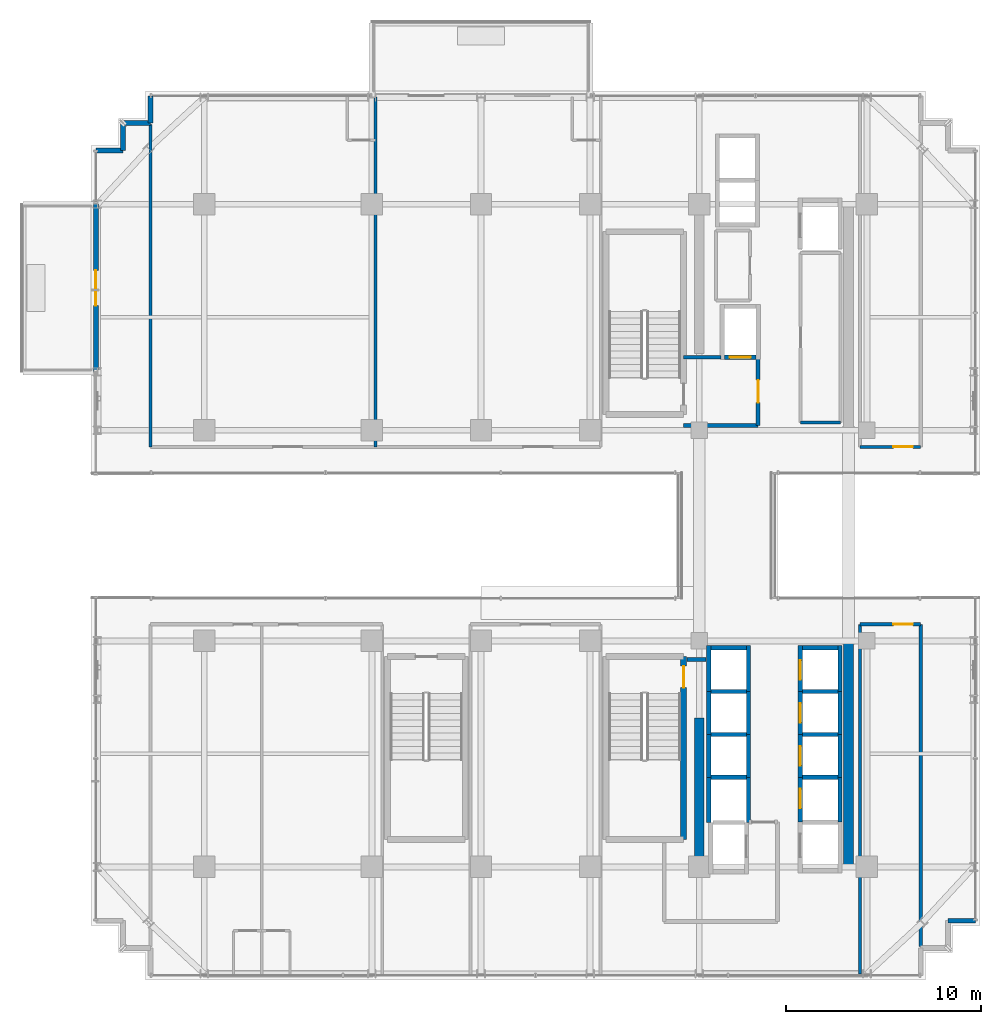
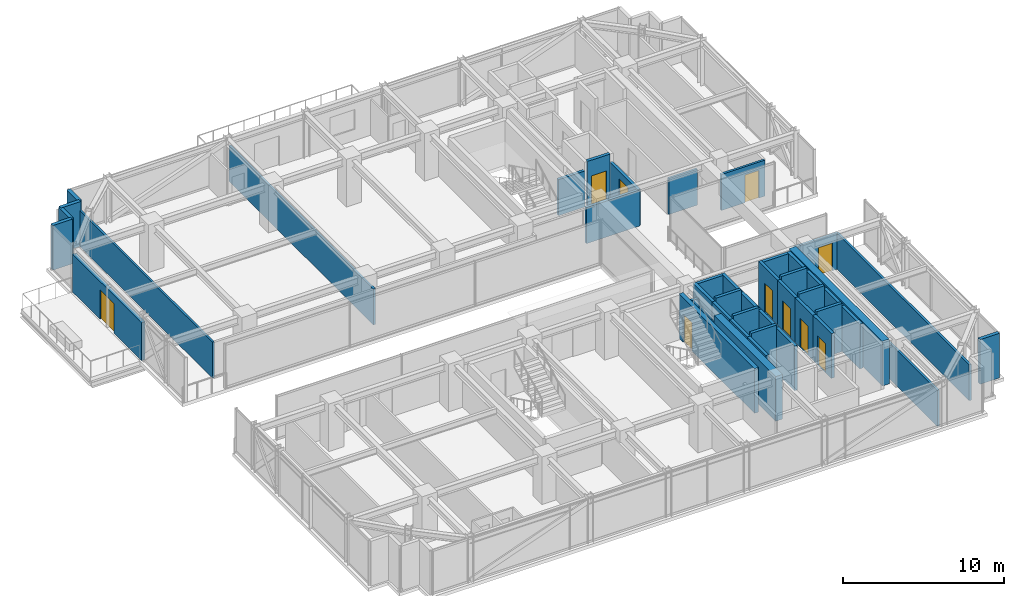
# One storey, part 37 of 43: 45 walls, 10 doors, 10 openings.
"""IFC4 building model written with IfcOpenShell, lengths in metres."""

from ifc_helpers import new_model, si_unit, direction, frame, frame_2d, origin, place, context, subcontext, project, spatial, rectangle, extrude, source, transform, mapped, material, layer, layer_set, type_object, element, fill, save


model = new_model("IFC4")

# Units and contexts
model_context = context("Model", 3, precision=1e-05, world=origin(), true_north=direction((0.0, 1.0)))
body_context = subcontext(model_context, "Body", "Model", "MODEL_VIEW")
ifc_project = project(units=[si_unit("LENGTHUNIT", "METRE"), si_unit("AREAUNIT", "SQUARE_METRE"), si_unit("VOLUMEUNIT", "CUBIC_METRE"), si_unit("PLANEANGLEUNIT", "RADIAN"), si_unit("MASSUNIT", "GRAM", prefix="KILO")], contexts=[model_context])

# Site, building, storey
site_placement = place(None, origin())
site = spatial("IfcSite", under=ifc_project, at=site_placement, CompositionType="ELEMENT")
building_placement = place(site_placement, origin())
building = spatial("IfcBuilding", under=site, at=building_placement, Name="Nahalor Promenade Grand Hotel", CompositionType="ELEMENT")
storey_placement = place(building_placement, frame((0.0, 0.0, 181.85009765625)))
storey = spatial("IfcBuildingStorey", under=building, at=storey_placement, Name="L46", CompositionType="ELEMENT", Elevation=181.85009765625)

# Walls
ifc_material_1 = material(Name="Concrete B-60 (C50/60)", Category="concrete")
ifc_layer_1 = layer(ifc_material_1, 0.5)
ifc_layer_set_1 = layer_set([ifc_layer_1], Name="Concrete B-60 (C50/60)")
wall_type_1 = type_object("IfcWallType", Name="Wall-CoreShear-500", PredefinedType="SHEAR", material=ifc_layer_set_1)
shared_shape_1 = source(origin(), body_context, "Body", "SweptSolid", [
    extrude(rectangle(XDim=7.64990234375, YDim=0.5, at=frame_2d((3.824951171875, 0.0))), origin(), (0.0, 0.0, 1.0), 3.389892578125),
])
wall_1_placement = place(storey_placement, frame((8.39990234375, -17.0, 0.0), z_axis=(0.0, 0.0, 1.0), x_axis=(0.0, 1.0, 0.0)))
element("IfcWall", 1, at=wall_1_placement, inside=storey, type_object=wall_type_1, Name="CWALL-L46-SW", PredefinedType="SHEAR", context=body_context, shape_type="MappedRepresentation", body=[
    mapped(shared_shape_1, transform((0.0, 0.0, 0.0), scale=1.0)),
])
shared_shape_2 = source(origin(), body_context, "Body", "SweptSolid", [
    extrude(rectangle(XDim=11.60009765625, YDim=0.5, at=frame_2d((5.800048828125, 0.0))), origin(), (0.0, 0.0, 1.0), 3.389892578125),
])
wall_2_placement = place(storey_placement, frame((16.050048828125, -17.0, 0.0), z_axis=(0.0, 0.0, 1.0), x_axis=(0.0, 1.0, 0.0)))
element("IfcWall", 2, at=wall_2_placement, inside=storey, type_object=wall_type_1, Name="CWALL-L46-SE", PredefinedType="SHEAR", context=body_context, shape_type="MappedRepresentation", body=[
    mapped(shared_shape_2, transform((0.0, 0.0, 0.0), scale=1.0)),
])

# Wall, opening, door
ifc_material_2 = material(Name="Concrete B-50 (C40/50)", Category="concrete")
ifc_layer_2 = layer(ifc_material_2, 0.300048828125)
ifc_layer_set_2 = layer_set([ifc_layer_2], Name="Concrete B-50 (C40/50)")
wall_type_2 = type_object("IfcWallType", Name="Wall-ShaftShear-300", PredefinedType="SHEAR", material=ifc_layer_set_2)
shared_shape_3 = source(origin(), body_context, "Body", "SweptSolid", [
    extrude(rectangle(XDim=9.380126953125, YDim=0.300048828125, at=frame_2d((4.68994140625, 0.0))), origin(), (0.0, 0.0, 1.0), 3.389892578125),
])
wall_3_placement = place(storey_placement, frame((7.590087890625, -15.590087890625, 0.0), z_axis=(0.0, 0.0, 1.0), x_axis=(0.0, 1.0, 0.0)))
wall_3 = element("IfcWall", 3, at=wall_3_placement, inside=storey, type_object=wall_type_2, Name="L46 Exit Stair ST2 Shaft Wall E", PredefinedType="SHEAR", context=body_context, shape_type="MappedRepresentation", body=[
    mapped(shared_shape_3, transform((0.0, 0.0, 0.0), scale=1.0)),
])
opening_1_placement = place(wall_3_placement, frame((7.7900390625, 0.0, 0.0)))
opening_1 = element("IfcOpeningElement", 4, at=opening_1_placement, cuts=wall_3, Name="Opening D-ST1", PredefinedType="OPENING", context=body_context, shape_type="SweptSolid", body=[
    extrude(rectangle(XDim=1.10009765625, YDim=2.14990234375, at=frame_2d((0.550048828125, 1.074951171875))), frame((0.0, 0.159912109375, 0.0), z_axis=(0.0, -1.0, 0.0), x_axis=(1.0, 0.0, 0.0)), (0.0, 0.0, 1.0), 0.320068359375),
])
ifc_material_3 = material(Name="Steel S355JR", Category="steel")
door_type_1 = type_object("IfcDoorType", Name="Door-StairFire-1100", OperationType="NOTDEFINED", PredefinedType="DOOR", material=ifc_material_3)
shared_shape_4 = source(origin(), body_context, "Body", "SweptSolid", [
    extrude(rectangle(XDim=1.10009765625, YDim=2.14990234375, at=frame_2d((0.550048828125, 1.074951171875))), frame((0.0, 0.02490234375, 0.0), z_axis=(0.0, -1.0, 0.0), x_axis=(1.0, 0.0, 0.0)), (0.0, 0.0, 1.0), 0.050048828125),
])
door_1_placement = place(opening_1_placement, origin())
door_1 = element("IfcDoor", 5, at=door_1_placement, inside=storey, type_object=door_type_1, Name="DR-STAIR-ST2-L46", OperationType="SINGLE_SWING_LEFT", OverallHeight=2.14990234375, OverallWidth=1.10009765625, PredefinedType="DOOR", context=body_context, shape_type="MappedRepresentation", body=[
    mapped(shared_shape_4, transform((0.0, 0.0, 0.0), scale=1.0)),
])
fill(opening_1, door_1)

# Walls
ifc_layer_3 = layer(ifc_material_2, 0.219970703125)
ifc_layer_set_3 = layer_set([ifc_layer_3], Name="Concrete B-50 (C40/50)")
wall_type_3 = type_object("IfcWallType", Name="Wall-LiftShaft-220", PredefinedType="SHEAR", material=ifc_layer_set_3)
shared_shape_5 = source(origin(), body_context, "Body", "SweptSolid", [
    extrude(rectangle(XDim=1.820068359375, YDim=0.219970703125, at=frame_2d((0.91015625, 0.0))), origin(), (0.0, 0.0, 1.0), 3.64990234375),
])
for number, where, z_axis, x_axis, name in (
    (6, (13.68994140625, -8.0, 0.0), (0.0, 0.0, 1.0), (1.0, 0.0, 0.0), "L46 Lift PL6 Hoistway Wall N"),
    (7, (13.68994140625, -10.199951171875, 0.0), (0.0, 0.0, 1.0), (1.0, 0.0, 0.0), "L46 Lift PL7 Hoistway Wall N"),
    (8, (13.68994140625, -12.39990234375, 0.0), (0.0, 0.0, 1.0), (1.0, 0.0, 0.0), "L46 Lift PL8 Hoistway Wall N"),
    (9, (8.989990234375, -8.0, 0.0), (0.0, 0.0, 1.0), (1.0, 0.0, 0.0), "L46 Lift PL10 Hoistway Wall N"),
    (10, (8.989990234375, -10.199951171875, 0.0), (0.0, 0.0, 1.0), (1.0, 0.0, 0.0), "L46 Lift PL11 Hoistway Wall N"),
    (11, (8.989990234375, -12.39990234375, 0.0), (0.0, 0.0, 1.0), (1.0, 0.0, 0.0), "L46 Lift PL12 Hoistway Wall N"),
):
    element("IfcWall", number, at=place(storey_placement, frame(where, z_axis=z_axis, x_axis=x_axis)), inside=storey, type_object=wall_type_3, Name=name, PredefinedType="SHEAR", context=body_context, shape_type="MappedRepresentation", body=[
        mapped(shared_shape_5, transform((0.0, 0.0, 0.0), scale=1.0)),
    ])

# Wall, opening, door
shared_shape_6 = source(origin(), body_context, "Body", "SweptSolid", [
    extrude(rectangle(XDim=2.360107421875, YDim=0.219970703125, at=frame_2d((1.18017578125, 0.0))), origin(), (0.0, 0.0, 1.0), 3.389892578125),
])
wall_4_placement = place(storey_placement, frame((13.580078125, -8.0, 0.0), z_axis=(0.0, 0.0, 1.0), x_axis=(0.0, 1.0, 0.0)))
wall_4 = element("IfcWall", 12, at=wall_4_placement, inside=storey, type_object=wall_type_3, Name="L46 Lift PL5 Hoistway Wall W", PredefinedType="SHEAR", context=body_context, shape_type="MappedRepresentation", body=[
    mapped(shared_shape_6, transform((0.0, 0.0, 0.0), scale=1.0)),
])
opening_2_placement = place(wall_4_placement, frame((0.60009765625, 0.0, 0.0)))
opening_2 = element("IfcOpeningElement", 13, at=opening_2_placement, cuts=wall_4, Name="Opening LD-01", PredefinedType="OPENING", context=body_context, shape_type="SweptSolid", body=[
    extrude(rectangle(XDim=1.0, YDim=2.199951171875, at=frame_2d((0.5, 1.10009765625))), frame((0.0, 0.119873046875, 0.0), z_axis=(0.0, -1.0, 0.0), x_axis=(1.0, 0.0, 0.0)), (0.0, 0.0, 1.0), 0.239990234375),
])
door_type_2 = type_object("IfcDoorType", Name="Door-LiftLanding-1000", OperationType="DOUBLE_DOOR_SLIDING", PredefinedType="DOOR", material=ifc_material_3)
shared_shape_7 = source(origin(), body_context, "Body", "SweptSolid", [
    extrude(rectangle(XDim=1.0, YDim=2.199951171875, at=frame_2d((0.5, 1.10009765625))), frame((0.0, 0.02490234375, 0.0), z_axis=(0.0, -1.0, 0.0), x_axis=(1.0, 0.0, 0.0)), (0.0, 0.0, 1.0), 0.050048828125),
])
door_2_placement = place(opening_2_placement, origin())
door_2 = element("IfcDoor", 14, at=door_2_placement, inside=storey, type_object=door_type_2, Name="DR-LIFT-PL5-L46", OperationType="DOUBLE_DOOR_SLIDING", OverallHeight=2.199951171875, OverallWidth=1.0, PredefinedType="DOOR", context=body_context, shape_type="MappedRepresentation", body=[
    mapped(shared_shape_7, transform((0.0, 0.0, 0.0), scale=1.0)),
])
fill(opening_2, door_2)

# Walls
for number, where, z_axis, x_axis, name in (
    (15, (15.6201171875, -8.0, 0.0), (0.0, 0.0, 1.0), (0.0, 1.0, 0.0), "L46 Lift PL5 Hoistway Wall E"),
    (16, (8.8798828125, -8.0, 0.0), (0.0, 0.0, 1.0), (0.0, 1.0, 0.0), "L46 Lift PL9 Hoistway Wall W"),
    (17, (10.919921875, -8.0, 0.0), (0.0, 0.0, 1.0), (0.0, 1.0, 0.0), "L46 Lift PL9 Hoistway Wall E"),
):
    element("IfcWall", number, at=place(storey_placement, frame(where, z_axis=z_axis, x_axis=x_axis)), inside=storey, type_object=wall_type_3, Name=name, PredefinedType="SHEAR", context=body_context, shape_type="MappedRepresentation", body=[
        mapped(shared_shape_6, transform((0.0, 0.0, 0.0), scale=1.0)),
    ])
shared_shape_8 = source(origin(), body_context, "Body", "SweptSolid", [
    extrude(rectangle(XDim=1.820068359375, YDim=0.219970703125, at=frame_2d((0.91015625, 0.0))), origin(), (0.0, 0.0, 1.0), 3.389892578125),
])
for number, where, z_axis, x_axis, name in (
    (18, (13.68994140625, -5.75, 0.0), (0.0, 0.0, 1.0), (1.0, 0.0, 0.0), "L46 Lift PL5 Hoistway Wall N"),
    (19, (8.989990234375, -5.75, 0.0), (0.0, 0.0, 1.0), (1.0, 0.0, 0.0), "L46 Lift PL9 Hoistway Wall N"),
):
    element("IfcWall", number, at=place(storey_placement, frame(where, z_axis=z_axis, x_axis=x_axis)), inside=storey, type_object=wall_type_3, Name=name, PredefinedType="SHEAR", context=body_context, shape_type="MappedRepresentation", body=[
        mapped(shared_shape_8, transform((0.0, 0.0, 0.0), scale=1.0)),
    ])

# Wall, opening, door
shared_shape_9 = source(origin(), body_context, "Body", "SweptSolid", [
    extrude(rectangle(XDim=2.199951171875, YDim=0.219970703125, at=frame_2d((1.10009765625, 0.0))), origin(), (0.0, 0.0, 1.0), 3.389892578125),
])
wall_5_placement = place(storey_placement, frame((13.580078125, -10.199951171875, 0.0), z_axis=(0.0, 0.0, 1.0), x_axis=(0.0, 1.0, 0.0)))
wall_5 = element("IfcWall", 20, at=wall_5_placement, inside=storey, type_object=wall_type_3, Name="L46 Lift PL6 Hoistway Wall W", PredefinedType="SHEAR", context=body_context, shape_type="MappedRepresentation", body=[
    mapped(shared_shape_9, transform((0.0, 0.0, 0.0), scale=1.0)),
])
opening_3_placement = place(wall_5_placement, frame((0.60009765625, 0.0, 0.0)))
opening_3 = element("IfcOpeningElement", 21, at=opening_3_placement, cuts=wall_5, Name="Opening LD-01", PredefinedType="OPENING", context=body_context, shape_type="SweptSolid", body=[
    extrude(rectangle(XDim=1.0, YDim=2.199951171875, at=frame_2d((0.5, 1.10009765625))), frame((0.0, 0.119873046875, 0.0), z_axis=(0.0, -1.0, 0.0), x_axis=(1.0, 0.0, 0.0)), (0.0, 0.0, 1.0), 0.239990234375),
])
door_3_placement = place(opening_3_placement, origin())
door_3 = element("IfcDoor", 22, at=door_3_placement, inside=storey, type_object=door_type_2, Name="DR-LIFT-PL6-L46", OperationType="DOUBLE_DOOR_SLIDING", OverallHeight=2.199951171875, OverallWidth=1.0, PredefinedType="DOOR", context=body_context, shape_type="MappedRepresentation", body=[
    mapped(shared_shape_7, transform((0.0, 0.0, 0.0), scale=1.0)),
])
fill(opening_3, door_3)

# Wall
wall_6_placement = place(storey_placement, frame((15.6201171875, -10.199951171875, 0.0), z_axis=(0.0, 0.0, 1.0), x_axis=(0.0, 1.0, 0.0)))
element("IfcWall", 23, at=wall_6_placement, inside=storey, type_object=wall_type_3, Name="L46 Lift PL6 Hoistway Wall E", PredefinedType="SHEAR", context=body_context, shape_type="MappedRepresentation", body=[
    mapped(shared_shape_9, transform((0.0, 0.0, 0.0), scale=1.0)),
])

# Wall, opening, door
wall_7_placement = place(storey_placement, frame((13.580078125, -12.39990234375, 0.0), z_axis=(0.0, 0.0, 1.0), x_axis=(0.0, 1.0, 0.0)))
wall_7 = element("IfcWall", 24, at=wall_7_placement, inside=storey, type_object=wall_type_3, Name="L46 Lift PL7 Hoistway Wall W", PredefinedType="SHEAR", context=body_context, shape_type="MappedRepresentation", body=[
    mapped(shared_shape_9, transform((0.0, 0.0, 0.0), scale=1.0)),
])
opening_4_placement = place(wall_7_placement, frame((0.60009765625, 0.0, 0.0)))
opening_4 = element("IfcOpeningElement", 25, at=opening_4_placement, cuts=wall_7, Name="Opening LD-01", PredefinedType="OPENING", context=body_context, shape_type="SweptSolid", body=[
    extrude(rectangle(XDim=1.0, YDim=2.199951171875, at=frame_2d((0.5, 1.10009765625))), frame((0.0, 0.119873046875, 0.0), z_axis=(0.0, -1.0, 0.0), x_axis=(1.0, 0.0, 0.0)), (0.0, 0.0, 1.0), 0.239990234375),
])
door_4_placement = place(opening_4_placement, origin())
door_4 = element("IfcDoor", 26, at=door_4_placement, inside=storey, type_object=door_type_2, Name="DR-LIFT-PL7-L46", OperationType="DOUBLE_DOOR_SLIDING", OverallHeight=2.199951171875, OverallWidth=1.0, PredefinedType="DOOR", context=body_context, shape_type="MappedRepresentation", body=[
    mapped(shared_shape_7, transform((0.0, 0.0, 0.0), scale=1.0)),
])
fill(opening_4, door_4)

# Walls
for number, where, z_axis, x_axis, name in (
    (27, (15.6201171875, -12.39990234375, 0.0), (0.0, 0.0, 1.0), (0.0, 1.0, 0.0), "L46 Lift PL7 Hoistway Wall E"),
    (28, (8.8798828125, -10.199951171875, 0.0), (0.0, 0.0, 1.0), (0.0, 1.0, 0.0), "L46 Lift PL10 Hoistway Wall W"),
    (29, (10.919921875, -10.199951171875, 0.0), (0.0, 0.0, 1.0), (0.0, 1.0, 0.0), "L46 Lift PL10 Hoistway Wall E"),
    (30, (8.8798828125, -12.39990234375, 0.0), (0.0, 0.0, 1.0), (0.0, 1.0, 0.0), "L46 Lift PL11 Hoistway Wall W"),
    (31, (10.919921875, -12.39990234375, 0.0), (0.0, 0.0, 1.0), (0.0, 1.0, 0.0), "L46 Lift PL11 Hoistway Wall E"),
):
    element("IfcWall", number, at=place(storey_placement, frame(where, z_axis=z_axis, x_axis=x_axis)), inside=storey, type_object=wall_type_3, Name=name, PredefinedType="SHEAR", context=body_context, shape_type="MappedRepresentation", body=[
        mapped(shared_shape_9, transform((0.0, 0.0, 0.0), scale=1.0)),
    ])

# Wall, opening, door
shared_shape_10 = source(origin(), body_context, "Body", "SweptSolid", [
    extrude(rectangle(XDim=2.300048828125, YDim=0.219970703125, at=frame_2d((1.14990234375, 0.0))), origin(), (0.0, 0.0, 1.0), 3.389892578125),
])
wall_8_placement = place(storey_placement, frame((13.580078125, -14.699951171875, 0.0), z_axis=(0.0, 0.0, 1.0), x_axis=(0.0, 1.0, 0.0)))
wall_8 = element("IfcWall", 32, at=wall_8_placement, inside=storey, type_object=wall_type_3, Name="L46 Lift PL8 Hoistway Wall W", PredefinedType="SHEAR", context=body_context, shape_type="MappedRepresentation", body=[
    mapped(shared_shape_10, transform((0.0, 0.0, 0.0), scale=1.0)),
])
opening_5_placement = place(wall_8_placement, frame((0.699951171875, 0.0, 0.0)))
opening_5 = element("IfcOpeningElement", 33, at=opening_5_placement, cuts=wall_8, Name="Opening LD-01", PredefinedType="OPENING", context=body_context, shape_type="SweptSolid", body=[
    extrude(rectangle(XDim=1.0, YDim=2.199951171875, at=frame_2d((0.5, 1.10009765625))), frame((0.0, 0.119873046875, 0.0), z_axis=(0.0, -1.0, 0.0), x_axis=(1.0, 0.0, 0.0)), (0.0, 0.0, 1.0), 0.239990234375),
])
door_5_placement = place(opening_5_placement, origin())
door_5 = element("IfcDoor", 34, at=door_5_placement, inside=storey, type_object=door_type_2, Name="DR-LIFT-PL8-L46", OperationType="DOUBLE_DOOR_SLIDING", OverallHeight=2.199951171875, OverallWidth=1.0, PredefinedType="DOOR", context=body_context, shape_type="MappedRepresentation", body=[
    mapped(shared_shape_7, transform((0.0, 0.0, 0.0), scale=1.0)),
])
fill(opening_5, door_5)

# Walls
wall_9_placement = place(storey_placement, frame((15.6201171875, -14.699951171875, 0.0), z_axis=(0.0, 0.0, 1.0), x_axis=(0.0, 1.0, 0.0)))
element("IfcWall", 35, at=wall_9_placement, inside=storey, type_object=wall_type_3, Name="L46 Lift PL8 Hoistway Wall E", PredefinedType="SHEAR", context=body_context, shape_type="MappedRepresentation", body=[
    mapped(shared_shape_10, transform((0.0, 0.0, 0.0), scale=1.0)),
])
shared_shape_11 = source(origin(), body_context, "Body", "SweptSolid", [
    extrude(rectangle(XDim=2.3251953125, YDim=0.219970703125, at=frame_2d((1.16259765625, 0.0))), origin(), (0.0, 0.0, 1.0), 3.389892578125),
])
for number, where, z_axis, x_axis, name in (
    (36, (8.8798828125, -14.72509765625, 0.0), (0.0, 0.0, 1.0), (0.0, 1.0, 0.0), "L46 Lift PL12 Hoistway Wall W"),
    (37, (10.919921875, -14.72509765625, 0.0), (0.0, 0.0, 1.0), (0.0, 1.0, 0.0), "L46 Lift PL12 Hoistway Wall E"),
):
    element("IfcWall", number, at=place(storey_placement, frame(where, z_axis=z_axis, x_axis=x_axis)), inside=storey, type_object=wall_type_3, Name=name, PredefinedType="SHEAR", context=body_context, shape_type="MappedRepresentation", body=[
        mapped(shared_shape_11, transform((0.0, 0.0, 0.0), scale=1.0)),
    ])

# Wall, opening, door
shared_shape_12 = source(origin(), body_context, "Body", "SweptSolid", [
    extrude(rectangle(XDim=1.6201171875, YDim=0.219970703125, at=frame_2d((0.81005859375, 0.0))), origin(), (0.0, 0.0, 1.0), 3.389892578125),
])
wall_10_placement = place(storey_placement, frame((9.68994140625, 9.14990234375, 0.0), z_axis=(0.0, 0.0, 1.0), x_axis=(1.0, 0.0, 0.0)))
wall_10 = element("IfcWall", 38, at=wall_10_placement, inside=storey, type_object=wall_type_3, Name="L46 Lift FL1 Hoistway Wall S", PredefinedType="SHEAR", context=body_context, shape_type="MappedRepresentation", body=[
    mapped(shared_shape_12, transform((0.0, 0.0, 0.0), scale=1.0)),
])
opening_6_placement = place(wall_10_placement, frame((0.260009765625, 0.0, 0.0)))
opening_6 = element("IfcOpeningElement", 39, at=opening_6_placement, cuts=wall_10, Name="Opening LD-02", PredefinedType="OPENING", context=body_context, shape_type="SweptSolid", body=[
    extrude(rectangle(XDim=1.10009765625, YDim=2.199951171875, at=frame_2d((0.550048828125, 1.10009765625))), frame((0.0, 0.119873046875, 0.0), z_axis=(0.0, -1.0, 0.0), x_axis=(1.0, 0.0, 0.0)), (0.0, 0.0, 1.0), 0.239990234375),
])
door_type_3 = type_object("IfcDoorType", Name="Door-LiftFF-1100", OperationType="DOUBLE_DOOR_SLIDING", PredefinedType="DOOR", material=ifc_material_3)
shared_shape_13 = source(origin(), body_context, "Body", "SweptSolid", [
    extrude(rectangle(XDim=1.10009765625, YDim=2.199951171875, at=frame_2d((0.550048828125, 1.10009765625))), frame((0.0, 0.02490234375, 0.0), z_axis=(0.0, -1.0, 0.0), x_axis=(1.0, 0.0, 0.0)), (0.0, 0.0, 1.0), 0.050048828125),
])
door_6_placement = place(opening_6_placement, frame((1.10009765625, 0.0, 0.0), z_axis=(0.0, 0.0, 1.0), x_axis=(-1.0, 0.0, 0.0)))
door_6 = element("IfcDoor", 40, at=door_6_placement, inside=storey, type_object=door_type_3, Name="DR-LIFT-FL1-L46", OperationType="DOUBLE_DOOR_SLIDING", OverallHeight=2.199951171875, OverallWidth=1.10009765625, PredefinedType="DOOR", context=body_context, shape_type="MappedRepresentation", body=[
    mapped(shared_shape_13, transform((0.0, 0.0, 0.0), scale=1.0)),
])
fill(opening_6, door_6)

# Walls
ifc_material_4 = material(Name="Concrete B-40 (C32/40)", Category="concrete")
ifc_layer_4 = layer(ifc_material_4, 0.25)
ifc_layer_set_4 = layer_set([ifc_layer_4], Name="Concrete B-40 (C32/40)")
wall_type_4 = type_object("IfcWallType", Name="Wall-BronzePier-250", PredefinedType="STANDARD", material=ifc_layer_set_4)
shared_shape_14 = source(origin(), body_context, "Body", "SweptSolid", [
    extrude(rectangle(XDim=1.400146484375, YDim=0.25, at=frame_2d((0.7001953125, 0.0))), origin(), (0.0, 0.0, 1.0), 3.389892578125),
])
for number, where, z_axis, x_axis, name in (
    (41, (21.159912109375, -19.760009765625, 0.0), (0.0, 0.0, 1.0), (1.0, 0.0, 0.0), "W-L46-SR-04"),
    (42, (-19.760009765625, 21.159912109375, 0.0), (0.0, 0.0, 1.0), (0.0, 1.0, 0.0), "W-L46-SR-09"),
    (43, (-22.56005859375, 19.760009765625, 0.0), (0.0, 0.0, 1.0), (1.0, 0.0, 0.0), "W-L46-SR-12"),
):
    element("IfcWall", number, at=place(storey_placement, frame(where, z_axis=z_axis, x_axis=x_axis)), inside=storey, type_object=wall_type_4, Name=name, PredefinedType="STANDARD", context=body_context, shape_type="MappedRepresentation", body=[
        mapped(shared_shape_14, transform((0.0, 0.0, 0.0), scale=1.0)),
    ])
shared_shape_15 = source(origin(), body_context, "Body", "SweptSolid", [
    extrude(rectangle(XDim=1.39990234375, YDim=0.25, at=frame_2d((0.699951171875, 0.0))), origin(), (0.0, 0.0, 1.0), 3.389892578125),
])
for number, where, z_axis, x_axis, name in (
    (44, (-21.159912109375, 21.159912109375, 0.0), (0.0, 0.0, 1.0), (1.0, 0.0, 0.0), "W-L46-SR-10"),
    (45, (-21.159912109375, 19.760009765625, 0.0), (0.0, 0.0, 1.0), (0.0, 1.0, 0.0), "W-L46-SR-11"),
):
    element("IfcWall", number, at=place(storey_placement, frame(where, z_axis=z_axis, x_axis=x_axis)), inside=storey, type_object=wall_type_4, Name=name, PredefinedType="STANDARD", context=body_context, shape_type="MappedRepresentation", body=[
        mapped(shared_shape_15, transform((0.0, 0.0, 0.0), scale=1.0)),
    ])

# Wall, opening, door
ifc_layer_5 = layer(ifc_material_4, 0.260009765625)
ifc_layer_set_5 = layer_set([ifc_layer_5], Name="Concrete B-40 (C32/40)")
wall_type_5 = type_object("IfcWallType", Name="Wall-BalconyWall-260", PredefinedType="STANDARD", material=ifc_layer_set_5)
shared_shape_16 = source(origin(), body_context, "Body", "SweptSolid", [
    extrude(rectangle(XDim=8.60009765625, YDim=0.260009765625, at=frame_2d((4.300048828125, 0.0))), origin(), (0.0, 0.0, 1.0), 2.869873046875),
])
wall_11_placement = place(storey_placement, frame((-22.56005859375, 8.39990234375, 0.0), z_axis=(0.0, 0.0, 1.0), x_axis=(0.0, 1.0, 0.0)))
wall_11 = element("IfcWall", 46, at=wall_11_placement, inside=storey, type_object=wall_type_5, Name="W-L46-BALC-W-3", PredefinedType="STANDARD", context=body_context, shape_type="MappedRepresentation", body=[
    mapped(shared_shape_16, transform((0.0, 0.0, 0.0), scale=1.0)),
])
opening_7_placement = place(wall_11_placement, frame((3.39990234375, 0.0, 0.0)))
opening_7 = element("IfcOpeningElement", 47, at=opening_7_placement, cuts=wall_11, Name="Opening D-BC1", PredefinedType="OPENING", context=body_context, shape_type="SweptSolid", body=[
    extrude(rectangle(XDim=1.800048828125, YDim=2.25, at=frame_2d((0.89990234375, 1.125))), frame((0.0, 0.139892578125, 0.0), z_axis=(0.0, -1.0, 0.0), x_axis=(1.0, 0.0, 0.0)), (0.0, 0.0, 1.0), 0.280029296875),
])
ifc_material_5 = material(Name="Anodised Bronze Aluminium EN AW-6063 T6", Category="aluminium")
door_type_4 = type_object("IfcDoorType", Name="Door-BalconySlide-1800", OperationType="DOUBLE_DOOR_SLIDING", PredefinedType="DOOR", material=ifc_material_5)
shared_shape_17 = source(origin(), body_context, "Body", "SweptSolid", [
    extrude(rectangle(XDim=1.800048828125, YDim=2.25, at=frame_2d((0.89990234375, 1.125))), frame((0.0, 0.02490234375, 0.0), z_axis=(0.0, -1.0, 0.0), x_axis=(1.0, 0.0, 0.0)), (0.0, 0.0, 1.0), 0.050048828125),
])
door_7_placement = place(opening_7_placement, origin())
door_7 = element("IfcDoor", 48, at=door_7_placement, inside=storey, type_object=door_type_4, Name="DR-L46-BALC-W-3", OperationType="DOUBLE_DOOR_SLIDING", OverallHeight=2.25, OverallWidth=1.800048828125, PredefinedType="DOOR", context=body_context, shape_type="MappedRepresentation", body=[
    mapped(shared_shape_17, transform((0.0, 0.0, 0.0), scale=1.0)),
])
fill(opening_7, door_7)

# Walls
ifc_layer_6 = layer(ifc_material_4, 0.199951171875)
ifc_layer_set_6 = layer_set([ifc_layer_6], Name="Concrete B-40 (C32/40)")
wall_type_6 = type_object("IfcWallType", Name="Wall-PartFire-200", PredefinedType="PARTITIONING", material=ifc_layer_set_6)
shared_shape_18 = source(origin(), body_context, "Body", "SweptSolid", [
    extrude(rectangle(XDim=3.81982421875, YDim=0.199951171875, at=frame_2d((1.909912109375, 0.0))), origin(), (0.0, 0.0, 1.0), 2.72998046875),
])
wall_12_placement = place(storey_placement, frame((7.60009765625, 5.64990234375, 0.0), z_axis=(0.0, 0.0, 1.0), x_axis=(1.0, 0.0, 0.0)))
element("IfcWall", 49, at=wall_12_placement, inside=storey, type_object=wall_type_6, Name="W-L46-FF1-S", PredefinedType="PARTITIONING", context=body_context, shape_type="MappedRepresentation", body=[
    mapped(shared_shape_18, transform((0.0, 0.0, 0.0), scale=1.0)),
])
shared_shape_19 = source(origin(), body_context, "Body", "SweptSolid", [
    extrude(rectangle(XDim=1.89990234375, YDim=0.199951171875, at=frame_2d((0.949951171875, 0.0))), origin(), (0.0, 0.0, 1.0), 2.72998046875),
])
wall_13_placement = place(storey_placement, frame((7.60009765625, 9.14990234375, 0.0), z_axis=(0.0, 0.0, 1.0), x_axis=(1.0, 0.0, 0.0)))
element("IfcWall", 50, at=wall_13_placement, inside=storey, type_object=wall_type_6, Name="W-L46-FF1-N", PredefinedType="PARTITIONING", context=body_context, shape_type="MappedRepresentation", body=[
    mapped(shared_shape_19, transform((0.0, 0.0, 0.0), scale=1.0)),
])

# Wall, opening, door
shared_shape_20 = source(origin(), body_context, "Body", "SweptSolid", [
    extrude(rectangle(XDim=3.5, YDim=0.199951171875, at=frame_2d((1.75, 0.0))), origin(), (0.0, 0.0, 1.0), 2.72998046875),
])
wall_14_placement = place(storey_placement, frame((11.419921875, 5.64990234375, 0.0), z_axis=(0.0, 0.0, 1.0), x_axis=(0.0, 1.0, 0.0)))
wall_14 = element("IfcWall", 51, at=wall_14_placement, inside=storey, type_object=wall_type_6, Name="W-L46-FF1-E", PredefinedType="PARTITIONING", context=body_context, shape_type="MappedRepresentation", body=[
    mapped(shared_shape_20, transform((0.0, 0.0, 0.0), scale=1.0)),
])
opening_8_placement = place(wall_14_placement, frame((1.175048828125, 0.0, 0.0)))
opening_8 = element("IfcOpeningElement", 52, at=opening_8_placement, cuts=wall_14, Name="Opening D-FF1", PredefinedType="OPENING", context=body_context, shape_type="SweptSolid", body=[
    extrude(rectangle(XDim=1.14990234375, YDim=2.14990234375, at=frame_2d((0.574951171875, 1.074951171875))), frame((0.0, 0.10986328125, 0.0), z_axis=(0.0, -1.0, 0.0), x_axis=(1.0, 0.0, 0.0)), (0.0, 0.0, 1.0), 0.219970703125),
])
door_type_5 = type_object("IfcDoorType", Name="Door-FFLobby-1150", OperationType="NOTDEFINED", PredefinedType="DOOR", material=ifc_material_3)
shared_shape_21 = source(origin(), body_context, "Body", "SweptSolid", [
    extrude(rectangle(XDim=1.14990234375, YDim=2.14990234375, at=frame_2d((0.574951171875, 1.074951171875))), frame((0.0, 0.02490234375, 0.0), z_axis=(0.0, -1.0, 0.0), x_axis=(1.0, 0.0, 0.0)), (0.0, 0.0, 1.0), 0.050048828125),
])
door_8_placement = place(opening_8_placement, frame((1.14990234375, 0.0, 0.0), z_axis=(0.0, 0.0, 1.0), x_axis=(-1.0, 0.0, 0.0)))
door_8 = element("IfcDoor", 53, at=door_8_placement, inside=storey, type_object=door_type_5, Name="DR-L46-FFL1", OperationType="SINGLE_SWING_LEFT", OverallHeight=2.14990234375, OverallWidth=1.14990234375, PredefinedType="DOOR", context=body_context, shape_type="MappedRepresentation", body=[
    mapped(shared_shape_21, transform((0.0, 0.0, 0.0), scale=1.0)),
])
fill(opening_8, door_8)

# Walls
shared_shape_22 = source(origin(), body_context, "Body", "SweptSolid", [
    extrude(rectangle(XDim=0.969970703125, YDim=0.199951171875, at=frame_2d((0.48486328125, 0.0))), origin(), (0.0, 0.0, 1.0), 2.72998046875),
])
wall_15_placement = place(storey_placement, frame((7.77001953125, -6.35009765625, 0.0), z_axis=(0.0, 0.0, 1.0), x_axis=(1.0, 0.0, 0.0)))
element("IfcWall", 54, at=wall_15_placement, inside=storey, type_object=wall_type_6, Name="W-L46-FF2-N2", PredefinedType="PARTITIONING", context=body_context, shape_type="MappedRepresentation", body=[
    mapped(shared_shape_22, transform((0.0, 0.0, 0.0), scale=1.0)),
])
ifc_material_6 = material(Name="Acoustic Mineral Gypsum", Category="gypsum")
ifc_layer_7 = layer(ifc_material_6, 0.159912109375)
ifc_layer_set_7 = layer_set([ifc_layer_7], Name="Acoustic Mineral Gypsum")
wall_type_7 = type_object("IfcWallType", Name="Wall-PartCorridor-160", PredefinedType="PARTITIONING", material=ifc_layer_set_7)
shared_shape_23 = source(origin(), body_context, "Body", "SweptSolid", [
    extrude(rectangle(XDim=2.0498046875, YDim=0.159912109375, at=frame_2d((1.02490234375, 0.0))), origin(), (0.0, 0.0, 1.0), 2.72998046875),
])
wall_16_placement = place(storey_placement, frame((13.60009765625, 5.800048828125, 0.0), z_axis=(0.0, 0.0, 1.0), x_axis=(1.0, 0.0, 0.0)))
element("IfcWall", 55, at=wall_16_placement, inside=storey, type_object=wall_type_7, Name="W-L46-FRB1-S", PredefinedType="PARTITIONING", context=body_context, shape_type="MappedRepresentation", body=[
    mapped(shared_shape_23, transform((0.0, 0.0, 0.0), scale=1.0)),
])

# Wall, opening, door
shared_shape_24 = source(origin(), body_context, "Body", "SweptSolid", [
    extrude(rectangle(XDim=3.110107421875, YDim=0.159912109375, at=frame_2d((1.55517578125, 0.0))), origin(), (0.0, 0.0, 1.0), 2.72998046875),
])
wall_17_placement = place(storey_placement, frame((16.64990234375, 4.550048828125, 0.0), z_axis=(0.0, 0.0, 1.0), x_axis=(1.0, 0.0, 0.0)))
wall_17 = element("IfcWall", 56, at=wall_17_placement, inside=storey, type_object=wall_type_7, Name="W-L46-ENE-S", PredefinedType="PARTITIONING", context=body_context, shape_type="MappedRepresentation", body=[
    mapped(shared_shape_24, transform((0.0, 0.0, 0.0), scale=1.0)),
])
opening_9_placement = place(wall_17_placement, frame((1.700927734375, 0.0, 0.0)))
opening_9 = element("IfcOpeningElement", 57, at=opening_9_placement, cuts=wall_17, Name="Opening D-04", PredefinedType="OPENING", context=body_context, shape_type="SweptSolid", body=[
    extrude(rectangle(XDim=1.0, YDim=2.10009765625, at=frame_2d((0.5, 1.050048828125))), frame((0.0, 0.08984375, 0.0), z_axis=(0.0, -1.0, 0.0), x_axis=(1.0, 0.0, 0.0)), (0.0, 0.0, 1.0), 0.179931640625),
])
door_type_6 = type_object("IfcDoorType", Name="Door-ServiceFire-1000", OperationType="NOTDEFINED", PredefinedType="DOOR", material=ifc_material_3)
shared_shape_25 = source(origin(), body_context, "Body", "SweptSolid", [
    extrude(rectangle(XDim=1.0, YDim=2.10009765625, at=frame_2d((0.5, 1.050048828125))), frame((0.0, 0.02490234375, 0.0), z_axis=(0.0, -1.0, 0.0), x_axis=(1.0, 0.0, 0.0)), (0.0, 0.0, 1.0), 0.050048828125),
])
door_9_placement = place(opening_9_placement, origin())
door_9 = element("IfcDoor", 58, at=door_9_placement, inside=storey, type_object=door_type_6, Name="DR-L46-ENE", OperationType="SINGLE_SWING_LEFT", OverallHeight=2.10009765625, OverallWidth=1.0, PredefinedType="DOOR", context=body_context, shape_type="MappedRepresentation", body=[
    mapped(shared_shape_25, transform((0.0, 0.0, 0.0), scale=1.0)),
])
fill(opening_9, door_9)

wall_18_placement = place(storey_placement, frame((16.64990234375, -4.550048828125, 0.0), z_axis=(0.0, 0.0, 1.0), x_axis=(1.0, 0.0, 0.0)))
wall_18 = element("IfcWall", 59, at=wall_18_placement, inside=storey, type_object=wall_type_7, Name="W-L46-ESE-N", PredefinedType="PARTITIONING", context=body_context, shape_type="MappedRepresentation", body=[
    mapped(shared_shape_24, transform((0.0, 0.0, 0.0), scale=1.0)),
])
opening_10_placement = place(wall_18_placement, frame((1.700927734375, 0.0, 0.0)))
opening_10 = element("IfcOpeningElement", 60, at=opening_10_placement, cuts=wall_18, Name="Opening D-04", PredefinedType="OPENING", context=body_context, shape_type="SweptSolid", body=[
    extrude(rectangle(XDim=1.0, YDim=2.10009765625, at=frame_2d((0.5, 1.050048828125))), frame((0.0, 0.08984375, 0.0), z_axis=(0.0, -1.0, 0.0), x_axis=(1.0, 0.0, 0.0)), (0.0, 0.0, 1.0), 0.179931640625),
])
door_10_placement = place(opening_10_placement, frame((1.0, 0.0, 0.0), z_axis=(0.0, 0.0, 1.0), x_axis=(-1.0, 0.0, 0.0)))
door_10 = element("IfcDoor", 61, at=door_10_placement, inside=storey, type_object=door_type_6, Name="DR-L46-ESE", OperationType="SINGLE_SWING_RIGHT", OverallHeight=2.10009765625, OverallWidth=1.0, PredefinedType="DOOR", context=body_context, shape_type="MappedRepresentation", body=[
    mapped(shared_shape_25, transform((0.0, 0.0, 0.0), scale=1.0)),
])
fill(opening_10, door_10)

# Walls
shared_shape_26 = source(origin(), body_context, "Body", "SweptSolid", [
    extrude(rectangle(XDim=17.949951171875, YDim=0.159912109375, at=frame_2d((8.97509765625, 0.0))), origin(), (0.0, 0.0, 1.0), 2.72998046875),
])
wall_19_placement = place(storey_placement, frame((16.64990234375, -22.5, 0.0), z_axis=(0.0, 0.0, 1.0), x_axis=(0.0, 1.0, 0.0)))
element("IfcWall", 62, at=wall_19_placement, inside=storey, type_object=wall_type_7, Name="W-L46-ESE-W", PredefinedType="PARTITIONING", context=body_context, shape_type="MappedRepresentation", body=[
    mapped(shared_shape_26, transform((0.0, 0.0, 0.0), scale=1.0)),
])
shared_shape_27 = source(origin(), body_context, "Body", "SweptSolid", [
    extrude(rectangle(XDim=16.530029296875, YDim=0.159912109375, at=frame_2d((8.26513671875, 0.0))), origin(), (0.0, 0.0, 1.0), 2.72998046875),
])
wall_20_placement = place(storey_placement, frame((19.760009765625, -21.080078125, 0.0), z_axis=(0.0, 0.0, 1.0), x_axis=(0.0, 1.0, 0.0)))
element("IfcWall", 63, at=wall_20_placement, inside=storey, type_object=wall_type_7, Name="W-L46-ESE-E", PredefinedType="PARTITIONING", context=body_context, shape_type="MappedRepresentation", body=[
    mapped(shared_shape_27, transform((0.0, 0.0, 0.0), scale=1.0)),
])
ifc_layer_8 = layer(ifc_material_6, 0.139892578125)
ifc_layer_set_8 = layer_set([ifc_layer_8], Name="Acoustic Mineral Gypsum")
wall_type_8 = type_object("IfcWallType", Name="Wall-PartSuite-140", PredefinedType="PARTITIONING", material=ifc_layer_set_8)
shared_shape_28 = source(origin(), body_context, "Body", "SweptSolid", [
    extrude(rectangle(XDim=17.949951171875, YDim=0.139892578125, at=frame_2d((8.97509765625, 0.0))), origin(), (0.0, 0.0, 1.0), 2.72998046875),
])
wall_21_placement = place(storey_placement, frame((-8.2099609375, 4.550048828125, 0.0), z_axis=(0.0, 0.0, 1.0), x_axis=(0.0, 1.0, 0.0)))
element("IfcWall", 64, at=wall_21_placement, inside=storey, type_object=wall_type_8, Name="W-L46-NP-1", PredefinedType="PARTITIONING", context=body_context, shape_type="MappedRepresentation", body=[
    mapped(shared_shape_28, transform((0.0, 0.0, 0.0), scale=1.0)),
])
shared_shape_29 = source(origin(), body_context, "Body", "SweptSolid", [
    extrude(rectangle(XDim=16.530029296875, YDim=0.139892578125, at=frame_2d((8.26513671875, 0.0))), origin(), (0.0, 0.0, 1.0), 2.72998046875),
])
wall_22_placement = place(storey_placement, frame((-19.760009765625, 4.550048828125, 0.0), z_axis=(0.0, 0.0, 1.0), x_axis=(0.0, 1.0, 0.0)))
element("IfcWall", 65, at=wall_22_placement, inside=storey, type_object=wall_type_8, Name="W-L46-NW-ENDW", PredefinedType="PARTITIONING", context=body_context, shape_type="MappedRepresentation", body=[
    mapped(shared_shape_29, transform((0.0, 0.0, 0.0), scale=1.0)),
])

save(model, "model.ifc")
